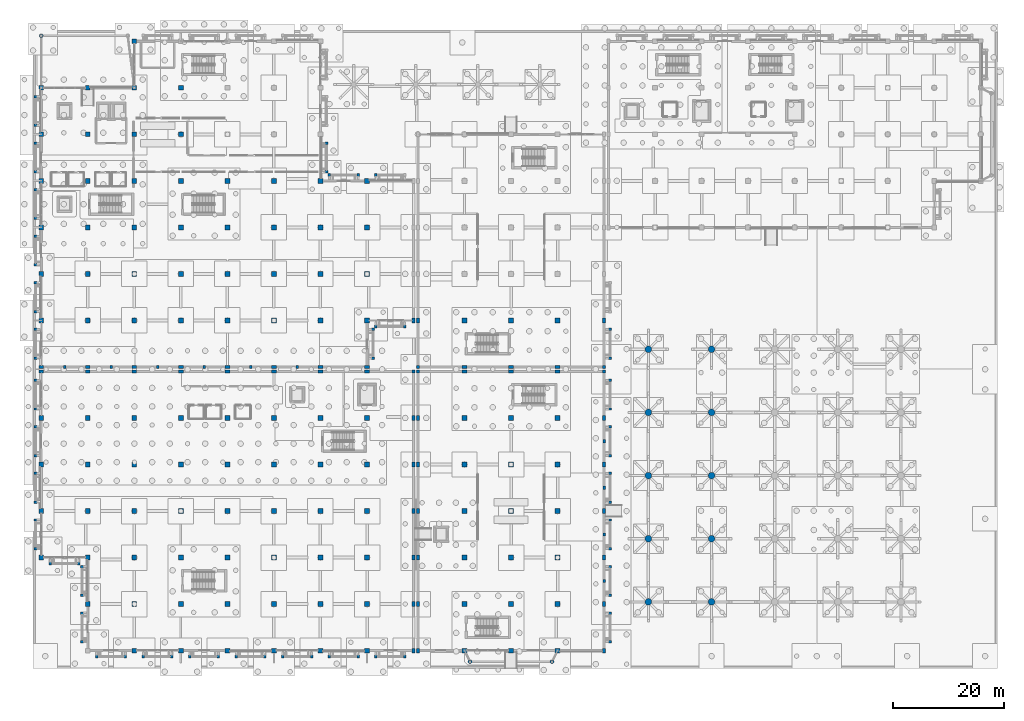
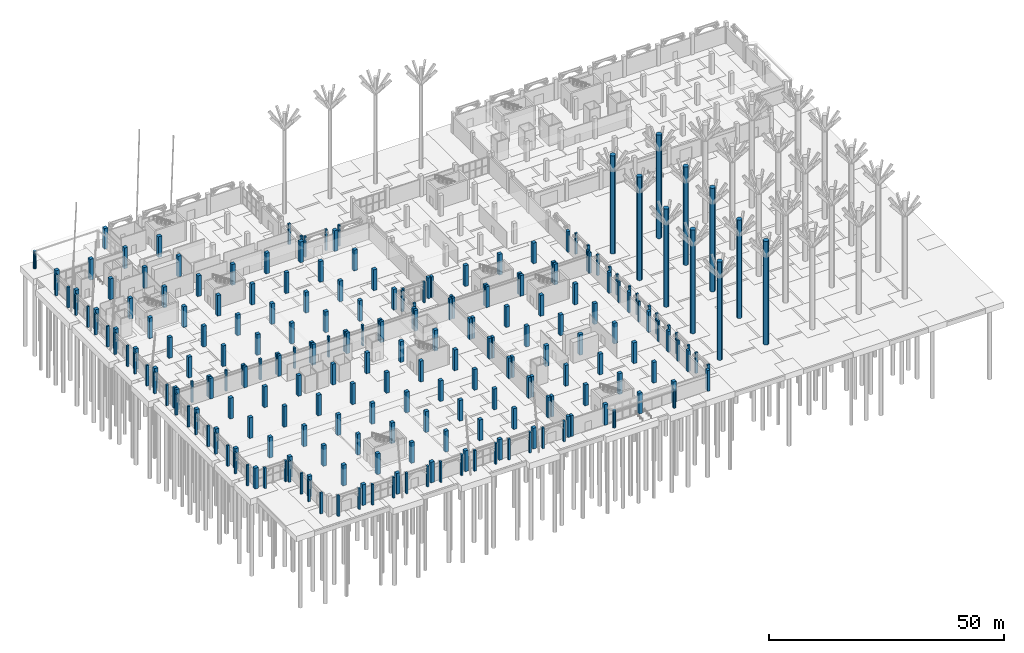
# One storey, part 9 of 98: 241 columns.
"""IFC4 building model written with IfcOpenShell, lengths in metres."""

from ifc_helpers import new_model, si_unit, direction, frame, origin, origin_2d, place, context, subcontext, project, spatial, rectangle, circle, extrude, material, material_profile, profile_set, type_object, element, save


model = new_model("IFC4")

# Units and contexts
model_context = context("Model", 3, precision=1e-05, world=origin(), true_north=direction((0.0, 1.0)))
body_context = subcontext(model_context, "Body", "Model", "MODEL_VIEW")
ifc_project = project(units=[si_unit("LENGTHUNIT", "METRE"), si_unit("AREAUNIT", "SQUARE_METRE"), si_unit("VOLUMEUNIT", "CUBIC_METRE"), si_unit("PLANEANGLEUNIT", "RADIAN"), si_unit("MASSUNIT", "GRAM", prefix="KILO")], contexts=[model_context])

# Site, building, storey
site_placement = place(None, origin())
site = spatial("IfcSite", under=ifc_project, at=site_placement, CompositionType="ELEMENT")
building_placement = place(site_placement, origin())
building = spatial("IfcBuilding", under=site, at=building_placement, Name="Xazarin Passage Department Store", CompositionType="ELEMENT")
storey_placement = place(building_placement, origin())
storey = spatial("IfcBuildingStorey", under=building, at=storey_placement, Name="L00", CompositionType="ELEMENT", Elevation=0.0)

# Columns
ifc_material = material(Name="Concrete C40/50", Category="concrete")
ifc_material_profile_1 = material_profile(ifc_material, circle(Radius=0.35009765625, at=origin_2d()), Name="RCD 700")
ifc_profile_set_1 = profile_set([ifc_material_profile_1], Name="Concrete C40/50")
column_type_1 = type_object("IfcColumnType", Name="STR-COL-CAN700", PredefinedType="COLUMN", material=ifc_profile_set_1)
column_1_placement = place(storey_placement, frame((0.0, 111.0, 0.0), z_axis=(0.0, 0.0, 1.0), x_axis=(1.0, 0.0, 0.0)))
element("IfcColumn", 1, at=column_1_placement, inside=storey, type_object=column_type_1, Name="Entrance Canopy Column CN1-3", PredefinedType="COLUMN", context=body_context, shape_type="SweptSolid", body=[
    extrude(circle(Radius=0.35009765625, at=origin_2d()), origin(), (0.0, 0.0, 1.0), 4.550048828125),
])
for number, where, z_axis, x_axis, name in (
    (2, (77.39990234375, -2.0, 0.0), (0.0, 0.0, 1.0), (1.0, 0.0, 0.0), "Entrance Canopy Column CN2-3"),
    (3, (92.199951171875, -2.0, 0.0), (0.0, 0.0, 1.0), (1.0, 0.0, 0.0), "Entrance Canopy Column CN2-4"),
):
    element("IfcColumn", number, at=place(storey_placement, frame(where, z_axis=z_axis, x_axis=x_axis)), inside=storey, type_object=column_type_1, Name=name, PredefinedType="COLUMN", context=body_context, shape_type="SweptSolid", body=[
        extrude(circle(Radius=0.35009765625, at=origin_2d()), origin(), (0.0, 0.0, 1.0), 4.530029296875),
    ])
ifc_material_profile_2 = material_profile(ifc_material, rectangle(XDim=0.85009765625, YDim=0.85009765625, at=origin_2d()), Name="RC 850x850")
ifc_profile_set_2 = profile_set([ifc_material_profile_2], Name="Concrete C40/50")
column_type_2 = type_object("IfcColumnType", Name="STR-COL-RC850", PredefinedType="COLUMN", material=ifc_profile_set_2)
for number, where, z_axis, x_axis, name in (
    (4, (0.0, 59.60009765625, 0.0), (0.0, 0.0, 1.0), (1.0, 0.0, 0.0), "L00 Column 1/J"),
    (5, (8.39990234375, 59.60009765625, 0.0), (0.0, 0.0, 1.0), (1.0, 0.0, 0.0), "L00 Column 2/J"),
    (6, (16.800048828125, 59.60009765625, 0.0), (0.0, 0.0, 1.0), (1.0, 0.0, 0.0), "L00 Column 3/J"),
    (7, (25.199951171875, 59.60009765625, 0.0), (0.0, 0.0, 1.0), (1.0, 0.0, 0.0), "L00 Column 4/J"),
    (8, (33.60009765625, 59.60009765625, 0.0), (0.0, 0.0, 1.0), (1.0, 0.0, 0.0), "L00 Column 5/J"),
    (9, (42.0, 59.60009765625, 0.0), (0.0, 0.0, 1.0), (1.0, 0.0, 0.0), "L00 Column 6/J"),
    (10, (50.39990234375, 59.60009765625, 0.0), (0.0, 0.0, 1.0), (1.0, 0.0, 0.0), "L00 Column 7/J"),
    (11, (58.800048828125, 59.60009765625, 0.0), (0.0, 0.0, 1.0), (1.0, 0.0, 0.0), "L00 Column 8/J"),
    (12, (0.0, 68.0, 0.0), (0.0, 0.0, 1.0), (1.0, 0.0, 0.0), "L00 Column 1/K"),
    (13, (8.39990234375, 68.0, 0.0), (0.0, 0.0, 1.0), (1.0, 0.0, 0.0), "L00 Column 2/K"),
    (14, (16.800048828125, 68.0, 0.0), (0.0, 0.0, 1.0), (1.0, 0.0, 0.0), "L00 Column 3/K"),
    (15, (25.199951171875, 68.0, 0.0), (0.0, 0.0, 1.0), (1.0, 0.0, 0.0), "L00 Column 4/K"),
    (16, (33.60009765625, 68.0, 0.0), (0.0, 0.0, 1.0), (1.0, 0.0, 0.0), "L00 Column 5/K"),
    (17, (42.0, 68.0, 0.0), (0.0, 0.0, 1.0), (1.0, 0.0, 0.0), "L00 Column 6/K"),
    (18, (50.39990234375, 68.0, 0.0), (0.0, 0.0, 1.0), (1.0, 0.0, 0.0), "L00 Column 7/K"),
    (19, (58.800048828125, 68.0, 0.0), (0.0, 0.0, 1.0), (1.0, 0.0, 0.0), "L00 Column 8/K"),
    (20, (0.0, 76.39990234375, 0.0), (0.0, 0.0, 1.0), (1.0, 0.0, 0.0), "L00 Column 1/L"),
    (21, (8.39990234375, 76.39990234375, 0.0), (0.0, 0.0, 1.0), (1.0, 0.0, 0.0), "L00 Column 2/L"),
    (22, (16.800048828125, 76.39990234375, 0.0), (0.0, 0.0, 1.0), (1.0, 0.0, 0.0), "L00 Column 3/L"),
    (23, (25.199951171875, 76.39990234375, 0.0), (0.0, 0.0, 1.0), (1.0, 0.0, 0.0), "L00 Column 4/L"),
    (24, (33.60009765625, 76.39990234375, 0.0), (0.0, 0.0, 1.0), (1.0, 0.0, 0.0), "L00 Column 5/L"),
    (25, (42.0, 76.39990234375, 0.0), (0.0, 0.0, 1.0), (1.0, 0.0, 0.0), "L00 Column 6/L"),
    (26, (50.39990234375, 76.39990234375, 0.0), (0.0, 0.0, 1.0), (1.0, 0.0, 0.0), "L00 Column 7/L"),
    (27, (58.800048828125, 76.39990234375, 0.0), (0.0, 0.0, 1.0), (1.0, 0.0, 0.0), "L00 Column 8/L"),
    (28, (0.0, 84.800048828125, 0.0), (0.0, 0.0, 1.0), (1.0, 0.0, 0.0), "L00 Column 1/M"),
    (29, (8.39990234375, 84.800048828125, 0.0), (0.0, 0.0, 1.0), (1.0, 0.0, 0.0), "L00 Column 2/M"),
    (30, (16.800048828125, 84.800048828125, 0.0), (0.0, 0.0, 1.0), (1.0, 0.0, 0.0), "L00 Column 3/M"),
    (31, (25.199951171875, 84.800048828125, 0.0), (0.0, 0.0, 1.0), (1.0, 0.0, 0.0), "L00 Column 4/M"),
    (32, (33.60009765625, 84.800048828125, 0.0), (0.0, 0.0, 1.0), (1.0, 0.0, 0.0), "L00 Column 5/M"),
    (33, (42.0, 84.800048828125, 0.0), (0.0, 0.0, 1.0), (1.0, 0.0, 0.0), "L00 Column 6/M"),
    (34, (50.39990234375, 84.800048828125, 0.0), (0.0, 0.0, 1.0), (1.0, 0.0, 0.0), "L00 Column 7/M"),
    (35, (58.800048828125, 84.800048828125, 0.0), (0.0, 0.0, 1.0), (1.0, 0.0, 0.0), "L00 Column 8/M"),
    (36, (0.0, 93.199951171875, 0.0), (0.0, 0.0, 1.0), (1.0, 0.0, 0.0), "L00 Column 1/N"),
    (37, (8.39990234375, 93.199951171875, 0.0), (0.0, 0.0, 1.0), (1.0, 0.0, 0.0), "L00 Column 2/N"),
    (38, (16.800048828125, 93.199951171875, 0.0), (0.0, 0.0, 1.0), (1.0, 0.0, 0.0), "L00 Column 3/N"),
    (39, (25.199951171875, 93.199951171875, 0.0), (0.0, 0.0, 1.0), (1.0, 0.0, 0.0), "L00 Column 4/N"),
    (40, (0.0, 101.60009765625, 0.0), (0.0, 0.0, 1.0), (1.0, 0.0, 0.0), "L00 Column 1/P"),
    (41, (8.39990234375, 101.60009765625, 0.0), (0.0, 0.0, 1.0), (1.0, 0.0, 0.0), "L00 Column 2/P"),
    (42, (16.800048828125, 101.60009765625, 0.0), (0.0, 0.0, 1.0), (1.0, 0.0, 0.0), "L00 Column 3/P"),
    (43, (25.199951171875, 101.60009765625, 0.0), (0.0, 0.0, 1.0), (1.0, 0.0, 0.0), "L00 Column 4/P"),
    (44, (16.800048828125, 110.0, 0.0), (0.0, 0.0, 1.0), (1.0, 0.0, 0.0), "L00 Column 3/Q"),
    (45, (76.39990234375, 0.0, 0.0), (0.0, 0.0, 1.0), (1.0, 0.0, 0.0), "L00 Column 11/A"),
    (46, (84.800048828125, 0.0, 0.0), (0.0, 0.0, 1.0), (1.0, 0.0, 0.0), "L00 Column 12/A"),
    (47, (93.199951171875, 0.0, 0.0), (0.0, 0.0, 1.0), (1.0, 0.0, 0.0), "L00 Column 13/A"),
    (48, (76.39990234375, 8.39990234375, 0.0), (0.0, 0.0, 1.0), (1.0, 0.0, 0.0), "L00 Column 11/B"),
    (49, (84.800048828125, 8.39990234375, 0.0), (0.0, 0.0, 1.0), (1.0, 0.0, 0.0), "L00 Column 12/B"),
    (50, (93.199951171875, 8.39990234375, 0.0), (0.0, 0.0, 1.0), (1.0, 0.0, 0.0), "L00 Column 13/B"),
    (51, (76.39990234375, 16.800048828125, 0.0), (0.0, 0.0, 1.0), (1.0, 0.0, 0.0), "L00 Column 11/C"),
    (52, (84.800048828125, 16.800048828125, 0.0), (0.0, 0.0, 1.0), (1.0, 0.0, 0.0), "L00 Column 12/C"),
    (53, (93.199951171875, 16.800048828125, 0.0), (0.0, 0.0, 1.0), (1.0, 0.0, 0.0), "L00 Column 13/C"),
    (54, (76.39990234375, 25.199951171875, 0.0), (0.0, 0.0, 1.0), (1.0, 0.0, 0.0), "L00 Column 11/D"),
    (55, (84.800048828125, 25.199951171875, 0.0), (0.0, 0.0, 1.0), (1.0, 0.0, 0.0), "L00 Column 12/D"),
    (56, (93.199951171875, 25.199951171875, 0.0), (0.0, 0.0, 1.0), (1.0, 0.0, 0.0), "L00 Column 13/D"),
    (57, (76.39990234375, 33.60009765625, 0.0), (0.0, 0.0, 1.0), (1.0, 0.0, 0.0), "L00 Column 11/E"),
    (58, (84.800048828125, 33.60009765625, 0.0), (0.0, 0.0, 1.0), (1.0, 0.0, 0.0), "L00 Column 12/E"),
    (59, (93.199951171875, 33.60009765625, 0.0), (0.0, 0.0, 1.0), (1.0, 0.0, 0.0), "L00 Column 13/E"),
    (60, (76.39990234375, 42.0, 0.0), (0.0, 0.0, 1.0), (1.0, 0.0, 0.0), "L00 Column 11/F"),
    (61, (84.800048828125, 42.0, 0.0), (0.0, 0.0, 1.0), (1.0, 0.0, 0.0), "L00 Column 12/F"),
    (62, (93.199951171875, 42.0, 0.0), (0.0, 0.0, 1.0), (1.0, 0.0, 0.0), "L00 Column 13/F"),
    (63, (76.39990234375, 59.60009765625, 0.0), (0.0, 0.0, 1.0), (1.0, 0.0, 0.0), "L00 Column 11/J"),
    (64, (84.800048828125, 59.60009765625, 0.0), (0.0, 0.0, 1.0), (1.0, 0.0, 0.0), "L00 Column 12/J"),
    (65, (93.199951171875, 59.60009765625, 0.0), (0.0, 0.0, 1.0), (1.0, 0.0, 0.0), "L00 Column 13/J"),
    (66, (16.800048828125, 0.0, 0.0), (0.0, 0.0, 1.0), (1.0, 0.0, 0.0), "L00 Column 3/A"),
    (67, (25.199951171875, 0.0, 0.0), (0.0, 0.0, 1.0), (1.0, 0.0, 0.0), "L00 Column 4/A"),
    (68, (33.60009765625, 0.0, 0.0), (0.0, 0.0, 1.0), (1.0, 0.0, 0.0), "L00 Column 5/A"),
    (69, (42.0, 0.0, 0.0), (0.0, 0.0, 1.0), (1.0, 0.0, 0.0), "L00 Column 6/A"),
    (70, (50.39990234375, 0.0, 0.0), (0.0, 0.0, 1.0), (1.0, 0.0, 0.0), "L00 Column 7/A"),
    (71, (58.800048828125, 0.0, 0.0), (0.0, 0.0, 1.0), (1.0, 0.0, 0.0), "L00 Column 8/A"),
    (72, (8.39990234375, 8.39990234375, 0.0), (0.0, 0.0, 1.0), (1.0, 0.0, 0.0), "L00 Column 2/B"),
    (73, (16.800048828125, 8.39990234375, 0.0), (0.0, 0.0, 1.0), (1.0, 0.0, 0.0), "L00 Column 3/B"),
    (74, (25.199951171875, 8.39990234375, 0.0), (0.0, 0.0, 1.0), (1.0, 0.0, 0.0), "L00 Column 4/B"),
    (75, (33.60009765625, 8.39990234375, 0.0), (0.0, 0.0, 1.0), (1.0, 0.0, 0.0), "L00 Column 5/B"),
    (76, (42.0, 8.39990234375, 0.0), (0.0, 0.0, 1.0), (1.0, 0.0, 0.0), "L00 Column 6/B"),
    (77, (50.39990234375, 8.39990234375, 0.0), (0.0, 0.0, 1.0), (1.0, 0.0, 0.0), "L00 Column 7/B"),
    (78, (58.800048828125, 8.39990234375, 0.0), (0.0, 0.0, 1.0), (1.0, 0.0, 0.0), "L00 Column 8/B"),
    (79, (0.0, 16.800048828125, 0.0), (0.0, 0.0, 1.0), (1.0, 0.0, 0.0), "L00 Column 1/C"),
    (80, (8.39990234375, 16.800048828125, 0.0), (0.0, 0.0, 1.0), (1.0, 0.0, 0.0), "L00 Column 2/C"),
    (81, (16.800048828125, 16.800048828125, 0.0), (0.0, 0.0, 1.0), (1.0, 0.0, 0.0), "L00 Column 3/C"),
    (82, (25.199951171875, 16.800048828125, 0.0), (0.0, 0.0, 1.0), (1.0, 0.0, 0.0), "L00 Column 4/C"),
    (83, (33.60009765625, 16.800048828125, 0.0), (0.0, 0.0, 1.0), (1.0, 0.0, 0.0), "L00 Column 5/C"),
    (84, (42.0, 16.800048828125, 0.0), (0.0, 0.0, 1.0), (1.0, 0.0, 0.0), "L00 Column 6/C"),
    (85, (50.39990234375, 16.800048828125, 0.0), (0.0, 0.0, 1.0), (1.0, 0.0, 0.0), "L00 Column 7/C"),
    (86, (58.800048828125, 16.800048828125, 0.0), (0.0, 0.0, 1.0), (1.0, 0.0, 0.0), "L00 Column 8/C"),
    (87, (0.0, 25.199951171875, 0.0), (0.0, 0.0, 1.0), (1.0, 0.0, 0.0), "L00 Column 1/D"),
    (88, (8.39990234375, 25.199951171875, 0.0), (0.0, 0.0, 1.0), (1.0, 0.0, 0.0), "L00 Column 2/D"),
    (89, (16.800048828125, 25.199951171875, 0.0), (0.0, 0.0, 1.0), (1.0, 0.0, 0.0), "L00 Column 3/D"),
    (90, (25.199951171875, 25.199951171875, 0.0), (0.0, 0.0, 1.0), (1.0, 0.0, 0.0), "L00 Column 4/D"),
    (91, (33.60009765625, 25.199951171875, 0.0), (0.0, 0.0, 1.0), (1.0, 0.0, 0.0), "L00 Column 5/D"),
    (92, (42.0, 25.199951171875, 0.0), (0.0, 0.0, 1.0), (1.0, 0.0, 0.0), "L00 Column 6/D"),
    (93, (50.39990234375, 25.199951171875, 0.0), (0.0, 0.0, 1.0), (1.0, 0.0, 0.0), "L00 Column 7/D"),
    (94, (58.800048828125, 25.199951171875, 0.0), (0.0, 0.0, 1.0), (1.0, 0.0, 0.0), "L00 Column 8/D"),
    (95, (0.0, 33.60009765625, 0.0), (0.0, 0.0, 1.0), (1.0, 0.0, 0.0), "L00 Column 1/E"),
    (96, (8.39990234375, 33.60009765625, 0.0), (0.0, 0.0, 1.0), (1.0, 0.0, 0.0), "L00 Column 2/E"),
    (97, (16.800048828125, 33.60009765625, 0.0), (0.0, 0.0, 1.0), (1.0, 0.0, 0.0), "L00 Column 3/E"),
    (98, (25.199951171875, 33.60009765625, 0.0), (0.0, 0.0, 1.0), (1.0, 0.0, 0.0), "L00 Column 4/E"),
    (99, (33.60009765625, 33.60009765625, 0.0), (0.0, 0.0, 1.0), (1.0, 0.0, 0.0), "L00 Column 5/E"),
    (100, (42.0, 33.60009765625, 0.0), (0.0, 0.0, 1.0), (1.0, 0.0, 0.0), "L00 Column 6/E"),
    (101, (50.39990234375, 33.60009765625, 0.0), (0.0, 0.0, 1.0), (1.0, 0.0, 0.0), "L00 Column 7/E"),
    (102, (58.800048828125, 33.60009765625, 0.0), (0.0, 0.0, 1.0), (1.0, 0.0, 0.0), "L00 Column 8/E"),
    (103, (0.0, 42.0, 0.0), (0.0, 0.0, 1.0), (1.0, 0.0, 0.0), "L00 Column 1/F"),
    (104, (8.39990234375, 42.0, 0.0), (0.0, 0.0, 1.0), (1.0, 0.0, 0.0), "L00 Column 2/F"),
    (105, (16.800048828125, 42.0, 0.0), (0.0, 0.0, 1.0), (1.0, 0.0, 0.0), "L00 Column 3/F"),
    (106, (25.199951171875, 42.0, 0.0), (0.0, 0.0, 1.0), (1.0, 0.0, 0.0), "L00 Column 4/F"),
    (107, (33.60009765625, 42.0, 0.0), (0.0, 0.0, 1.0), (1.0, 0.0, 0.0), "L00 Column 5/F"),
    (108, (42.0, 42.0, 0.0), (0.0, 0.0, 1.0), (1.0, 0.0, 0.0), "L00 Column 6/F"),
    (109, (50.39990234375, 42.0, 0.0), (0.0, 0.0, 1.0), (1.0, 0.0, 0.0), "L00 Column 7/F"),
    (110, (58.800048828125, 42.0, 0.0), (0.0, 0.0, 1.0), (1.0, 0.0, 0.0), "L00 Column 8/F"),
):
    element("IfcColumn", number, at=place(storey_placement, frame(where, z_axis=z_axis, x_axis=x_axis)), inside=storey, type_object=column_type_2, Name=name, PredefinedType="COLUMN", context=body_context, shape_type="SweptSolid", body=[
        extrude(rectangle(XDim=0.85009765625, YDim=0.85009765625, at=origin_2d()), origin(), (0.0, 0.0, 1.0), 5.39990234375),
    ])
ifc_material_profile_3 = material_profile(ifc_material, rectangle(XDim=0.60009765625, YDim=0.60009765625, at=origin_2d()), Name="RC 600x600")
ifc_profile_set_3 = profile_set([ifc_material_profile_3], Name="Concrete C40/50")
column_type_3 = type_object("IfcColumnType", Name="STR-COL-SJ600", PredefinedType="COLUMN", material=ifc_profile_set_3)
for number, where, z_axis, x_axis, name in (
    (111, (68.0, 50.39990234375, 0.0), (0.0, 0.0, 1.0), (1.0, 0.0, 0.0), "L00 Column 10/G"),
    (112, (101.60009765625, 50.39990234375, 0.0), (0.0, 0.0, 1.0), (1.0, 0.0, 0.0), "L00 Column 14/G"),
    (113, (68.0, 51.199951171875, 0.0), (0.0, 0.0, 1.0), (1.0, 0.0, 0.0), "L00 Column 10/H"),
    (114, (101.60009765625, 51.199951171875, 0.0), (0.0, 0.0, 1.0), (1.0, 0.0, 0.0), "L00 Column 14/H"),
    (115, (67.199951171875, 50.39990234375, 0.0), (0.0, 0.0, 1.0), (1.0, 0.0, 0.0), "L00 Column 9/G"),
):
    element("IfcColumn", number, at=place(storey_placement, frame(where, z_axis=z_axis, x_axis=x_axis)), inside=storey, type_object=column_type_3, Name=name, PredefinedType="COLUMN", context=body_context, shape_type="SweptSolid", body=[
        extrude(rectangle(XDim=0.60009765625, YDim=0.60009765625, at=origin_2d()), origin(), (0.0, 0.0, 1.0), 5.39990234375),
    ])
ifc_material_profile_4 = material_profile(ifc_material, rectangle(XDim=0.60009765625, YDim=0.85009765625, at=origin_2d()), Name="RC 600x850")
ifc_profile_set_4 = profile_set([ifc_material_profile_4], Name="Concrete C40/50")
column_type_4 = type_object("IfcColumnType", Name="STR-COL-SJ850", PredefinedType="COLUMN", material=ifc_profile_set_4)
for number, where, z_axis, x_axis, name in (
    (116, (0.0, 51.199951171875, 0.0), (0.0, 0.0, 1.0), (0.0, 1.0, 0.0), "L00 Column 1/H"),
    (117, (8.39990234375, 51.199951171875, 0.0), (0.0, 0.0, 1.0), (0.0, 1.0, 0.0), "L00 Column 2/H"),
    (118, (16.800048828125, 51.199951171875, 0.0), (0.0, 0.0, 1.0), (0.0, 1.0, 0.0), "L00 Column 3/H"),
    (119, (25.199951171875, 51.199951171875, 0.0), (0.0, 0.0, 1.0), (0.0, 1.0, 0.0), "L00 Column 4/H"),
    (120, (33.60009765625, 51.199951171875, 0.0), (0.0, 0.0, 1.0), (0.0, 1.0, 0.0), "L00 Column 5/H"),
    (121, (42.0, 51.199951171875, 0.0), (0.0, 0.0, 1.0), (0.0, 1.0, 0.0), "L00 Column 6/H"),
    (122, (50.39990234375, 51.199951171875, 0.0), (0.0, 0.0, 1.0), (0.0, 1.0, 0.0), "L00 Column 7/H"),
    (123, (58.800048828125, 51.199951171875, 0.0), (0.0, 0.0, 1.0), (0.0, 1.0, 0.0), "L00 Column 8/H"),
    (124, (67.199951171875, 59.60009765625, 0.0), (0.0, 0.0, 1.0), (1.0, 0.0, 0.0), "L00 Column 9/J"),
    (125, (68.0, 0.0, 0.0), (0.0, 0.0, 1.0), (1.0, 0.0, 0.0), "L00 Column 10/A"),
    (126, (101.60009765625, 0.0, 0.0), (0.0, 0.0, 1.0), (1.0, 0.0, 0.0), "L00 Column 14/A"),
    (127, (68.0, 8.39990234375, 0.0), (0.0, 0.0, 1.0), (1.0, 0.0, 0.0), "L00 Column 10/B"),
    (128, (101.60009765625, 8.39990234375, 0.0), (0.0, 0.0, 1.0), (1.0, 0.0, 0.0), "L00 Column 14/B"),
    (129, (68.0, 16.800048828125, 0.0), (0.0, 0.0, 1.0), (1.0, 0.0, 0.0), "L00 Column 10/C"),
    (130, (101.60009765625, 16.800048828125, 0.0), (0.0, 0.0, 1.0), (1.0, 0.0, 0.0), "L00 Column 14/C"),
    (131, (68.0, 25.199951171875, 0.0), (0.0, 0.0, 1.0), (1.0, 0.0, 0.0), "L00 Column 10/D"),
    (132, (101.60009765625, 25.199951171875, 0.0), (0.0, 0.0, 1.0), (1.0, 0.0, 0.0), "L00 Column 14/D"),
    (133, (68.0, 33.60009765625, 0.0), (0.0, 0.0, 1.0), (1.0, 0.0, 0.0), "L00 Column 10/E"),
    (134, (101.60009765625, 33.60009765625, 0.0), (0.0, 0.0, 1.0), (1.0, 0.0, 0.0), "L00 Column 14/E"),
    (135, (68.0, 42.0, 0.0), (0.0, 0.0, 1.0), (1.0, 0.0, 0.0), "L00 Column 10/F"),
    (136, (101.60009765625, 42.0, 0.0), (0.0, 0.0, 1.0), (1.0, 0.0, 0.0), "L00 Column 14/F"),
    (137, (76.39990234375, 50.39990234375, 0.0), (0.0, 0.0, 1.0), (0.0, 1.0, 0.0), "L00 Column 11/G"),
    (138, (84.800048828125, 50.39990234375, 0.0), (0.0, 0.0, 1.0), (0.0, 1.0, 0.0), "L00 Column 12/G"),
    (139, (93.199951171875, 50.39990234375, 0.0), (0.0, 0.0, 1.0), (0.0, 1.0, 0.0), "L00 Column 13/G"),
    (140, (76.39990234375, 51.199951171875, 0.0), (0.0, 0.0, 1.0), (0.0, 1.0, 0.0), "L00 Column 11/H"),
    (141, (84.800048828125, 51.199951171875, 0.0), (0.0, 0.0, 1.0), (0.0, 1.0, 0.0), "L00 Column 12/H"),
    (142, (93.199951171875, 51.199951171875, 0.0), (0.0, 0.0, 1.0), (0.0, 1.0, 0.0), "L00 Column 13/H"),
    (143, (68.0, 59.60009765625, 0.0), (0.0, 0.0, 1.0), (1.0, 0.0, 0.0), "L00 Column 10/J"),
    (144, (101.60009765625, 59.60009765625, 0.0), (0.0, 0.0, 1.0), (1.0, 0.0, 0.0), "L00 Column 14/J"),
    (145, (67.199951171875, 0.0, 0.0), (0.0, 0.0, 1.0), (1.0, 0.0, 0.0), "L00 Column 9/A"),
    (146, (67.199951171875, 8.39990234375, 0.0), (0.0, 0.0, 1.0), (1.0, 0.0, 0.0), "L00 Column 9/B"),
    (147, (67.199951171875, 16.800048828125, 0.0), (0.0, 0.0, 1.0), (1.0, 0.0, 0.0), "L00 Column 9/C"),
    (148, (67.199951171875, 25.199951171875, 0.0), (0.0, 0.0, 1.0), (1.0, 0.0, 0.0), "L00 Column 9/D"),
    (149, (67.199951171875, 33.60009765625, 0.0), (0.0, 0.0, 1.0), (1.0, 0.0, 0.0), "L00 Column 9/E"),
    (150, (67.199951171875, 42.0, 0.0), (0.0, 0.0, 1.0), (1.0, 0.0, 0.0), "L00 Column 9/F"),
    (151, (0.0, 50.39990234375, 0.0), (0.0, 0.0, 1.0), (0.0, 1.0, 0.0), "L00 Column 1/G"),
    (152, (8.39990234375, 50.39990234375, 0.0), (0.0, 0.0, 1.0), (0.0, 1.0, 0.0), "L00 Column 2/G"),
    (153, (16.800048828125, 50.39990234375, 0.0), (0.0, 0.0, 1.0), (0.0, 1.0, 0.0), "L00 Column 3/G"),
    (154, (25.199951171875, 50.39990234375, 0.0), (0.0, 0.0, 1.0), (0.0, 1.0, 0.0), "L00 Column 4/G"),
    (155, (33.60009765625, 50.39990234375, 0.0), (0.0, 0.0, 1.0), (0.0, 1.0, 0.0), "L00 Column 5/G"),
    (156, (42.0, 50.39990234375, 0.0), (0.0, 0.0, 1.0), (0.0, 1.0, 0.0), "L00 Column 6/G"),
    (157, (50.39990234375, 50.39990234375, 0.0), (0.0, 0.0, 1.0), (0.0, 1.0, 0.0), "L00 Column 7/G"),
    (158, (58.800048828125, 50.39990234375, 0.0), (0.0, 0.0, 1.0), (0.0, 1.0, 0.0), "L00 Column 8/G"),
):
    element("IfcColumn", number, at=place(storey_placement, frame(where, z_axis=z_axis, x_axis=x_axis)), inside=storey, type_object=column_type_4, Name=name, PredefinedType="COLUMN", context=body_context, shape_type="SweptSolid", body=[
        extrude(rectangle(XDim=0.60009765625, YDim=0.85009765625, at=origin_2d()), origin(), (0.0, 0.0, 1.0), 5.39990234375),
    ])
ifc_material_profile_5 = material_profile(ifc_material, circle(Radius=0.60009765625, at=origin_2d()), Name="RCD 1200")
ifc_profile_set_5 = profile_set([ifc_material_profile_5], Name="Concrete C40/50")
column_type_5 = type_object("IfcColumnType", Name="STR-COL-UMB1200", PredefinedType="COLUMN", material=ifc_profile_set_5)
column_2_placement = place(storey_placement, frame((109.60009765625, 8.800048828125, 0.0), z_axis=(0.0, 0.0, 1.0), x_axis=(1.0, 0.0, 0.0)))
element("IfcColumn", 159, at=column_2_placement, inside=storey, type_object=column_type_5, Name="Trading Court Umbrella Column UM5", PredefinedType="COLUMN", context=body_context, shape_type="SweptSolid", body=[
    extrude(circle(Radius=0.60009765625, at=origin_2d()), origin(), (0.0, 0.0, 1.0), 25.580078125),
])
for number, where, z_axis, x_axis, name in (
    (160, (121.0, 8.800048828125, 0.0), (0.0, 0.0, 1.0), (1.0, 0.0, 0.0), "Trading Court Umbrella Column UM6"),
    (161, (109.60009765625, 20.199951171875, 0.0), (0.0, 0.0, 1.0), (1.0, 0.0, 0.0), "Trading Court Umbrella Column UM10"),
):
    element("IfcColumn", number, at=place(storey_placement, frame(where, z_axis=z_axis, x_axis=x_axis)), inside=storey, type_object=column_type_5, Name=name, PredefinedType="COLUMN", context=body_context, shape_type="SweptSolid", body=[
        extrude(circle(Radius=0.60009765625, at=origin_2d()), origin(), (0.0, 0.0, 1.0), 26.97998046875),
    ])
for number, where, z_axis, x_axis, name in (
    (162, (121.0, 20.199951171875, 0.0), (0.0, 0.0, 1.0), (1.0, 0.0, 0.0), "Trading Court Umbrella Column UM11"),
    (163, (109.60009765625, 31.60009765625, 0.0), (0.0, 0.0, 1.0), (1.0, 0.0, 0.0), "Trading Court Umbrella Column UM15"),
):
    element("IfcColumn", number, at=place(storey_placement, frame(where, z_axis=z_axis, x_axis=x_axis)), inside=storey, type_object=column_type_5, Name=name, PredefinedType="COLUMN", context=body_context, shape_type="SweptSolid", body=[
        extrude(circle(Radius=0.60009765625, at=origin_2d()), origin(), (0.0, 0.0, 1.0), 25.580078125),
    ])
for number, where, z_axis, x_axis, name in (
    (164, (121.0, 31.60009765625, 0.0), (0.0, 0.0, 1.0), (1.0, 0.0, 0.0), "Trading Court Umbrella Column UM16"),
    (165, (109.60009765625, 43.0, 0.0), (0.0, 0.0, 1.0), (1.0, 0.0, 0.0), "Trading Court Umbrella Column UM20"),
):
    element("IfcColumn", number, at=place(storey_placement, frame(where, z_axis=z_axis, x_axis=x_axis)), inside=storey, type_object=column_type_5, Name=name, PredefinedType="COLUMN", context=body_context, shape_type="SweptSolid", body=[
        extrude(circle(Radius=0.60009765625, at=origin_2d()), origin(), (0.0, 0.0, 1.0), 26.97998046875),
    ])
for number, where, z_axis, x_axis, name in (
    (166, (121.0, 43.0, 0.0), (0.0, 0.0, 1.0), (1.0, 0.0, 0.0), "Trading Court Umbrella Column UM21"),
    (167, (109.60009765625, 54.39990234375, 0.0), (0.0, 0.0, 1.0), (1.0, 0.0, 0.0), "Trading Court Umbrella Column UM25"),
):
    element("IfcColumn", number, at=place(storey_placement, frame(where, z_axis=z_axis, x_axis=x_axis)), inside=storey, type_object=column_type_5, Name=name, PredefinedType="COLUMN", context=body_context, shape_type="SweptSolid", body=[
        extrude(circle(Radius=0.60009765625, at=origin_2d()), origin(), (0.0, 0.0, 1.0), 25.580078125),
    ])
column_3_placement = place(storey_placement, frame((121.0, 54.39990234375, 0.0), z_axis=(0.0, 0.0, 1.0), x_axis=(1.0, 0.0, 0.0)))
element("IfcColumn", 168, at=column_3_placement, inside=storey, type_object=column_type_5, Name="Trading Court Umbrella Column UM26", PredefinedType="COLUMN", context=body_context, shape_type="SweptSolid", body=[
    extrude(circle(Radius=0.60009765625, at=origin_2d()), origin(), (0.0, 0.0, 1.0), 26.97998046875),
])
ifc_material_profile_6 = material_profile(ifc_material, rectangle(XDim=0.449951171875, YDim=0.550048828125, at=origin_2d()), Name="RC 450x550")
ifc_profile_set_6 = profile_set([ifc_material_profile_6], Name="Concrete C40/50")
column_type_6 = type_object("IfcColumnType", Name="STR-PIL-RC450", PredefinedType="PILASTER", material=ifc_profile_set_6)
for number, where, z_axis, x_axis, name in (
    (169, (4.199951171875, 51.199951171875, 0.0), (0.0, 0.0, 1.0), (1.0, 0.0, 0.0), "L00 Colonnade Pilaster 01"),
    (170, (12.60009765625, 51.199951171875, 0.0), (0.0, 0.0, 1.0), (1.0, 0.0, 0.0), "L00 Colonnade Pilaster 02"),
    (171, (21.0, 51.199951171875, 0.0), (0.0, 0.0, 1.0), (1.0, 0.0, 0.0), "L00 Colonnade Pilaster 03"),
    (172, (29.39990234375, 51.199951171875, 0.0), (0.0, 0.0, 1.0), (1.0, 0.0, 0.0), "L00 Colonnade Pilaster 04"),
    (173, (37.800048828125, 51.199951171875, 0.0), (0.0, 0.0, 1.0), (1.0, 0.0, 0.0), "L00 Colonnade Pilaster 05"),
    (174, (46.199951171875, 51.199951171875, 0.0), (0.0, 0.0, 1.0), (1.0, 0.0, 0.0), "L00 Colonnade Pilaster 06"),
    (175, (101.60009765625, 12.60009765625, 0.0), (0.0, 0.0, 1.0), (1.0, 0.0, 0.0), "L00 Colonnade Pilaster 07"),
    (176, (101.60009765625, 21.0, 0.0), (0.0, 0.0, 1.0), (1.0, 0.0, 0.0), "L00 Colonnade Pilaster 08"),
    (177, (101.60009765625, 29.39990234375, 0.0), (0.0, 0.0, 1.0), (1.0, 0.0, 0.0), "L00 Colonnade Pilaster 09"),
    (178, (101.60009765625, 37.800048828125, 0.0), (0.0, 0.0, 1.0), (1.0, 0.0, 0.0), "L00 Colonnade Pilaster 10"),
    (179, (52.02001953125, 85.85009765625, 0.0), (0.0, 0.0, 1.0), (1.0, 0.0, 0.0), "L00 V1 Pierced-Arch Colonnade Pier 005L"),
    (180, (57.179931640625, 85.85009765625, 0.0), (0.0, 0.0, 1.0), (1.0, 0.0, 0.0), "L00 V1 Pierced-Arch Colonnade Pier 005R"),
    (181, (60.419921875, 58.550048828125, 0.0), (0.0, 0.0, 1.0), (1.0, 0.0, 0.0), "L00 V1 Pierced-Arch Colonnade Pier 006L"),
    (182, (65.580078125, 58.550048828125, 0.0), (0.0, 0.0, 1.0), (1.0, 0.0, 0.0), "L00 V1 Pierced-Arch Colonnade Pier 006R"),
    (183, (60.419921875, 85.85009765625, 0.0), (0.0, 0.0, 1.0), (1.0, 0.0, 0.0), "L00 V1 Pierced-Arch Colonnade Pier 007L"),
    (184, (-1.050048828125, 52.820068359375, 0.0), (0.0, 0.0, 1.0), (0.0, 1.0, 0.0), "L00 V1 Pierced-Arch Colonnade Pier 008L"),
    (185, (-1.050048828125, 57.97998046875, 0.0), (0.0, 0.0, 1.0), (0.0, 1.0, 0.0), "L00 V1 Pierced-Arch Colonnade Pier 008R"),
    (186, (-1.050048828125, 61.219970703125, 0.0), (0.0, 0.0, 1.0), (0.0, 1.0, 0.0), "L00 V1 Pierced-Arch Colonnade Pier 009L"),
    (187, (-1.050048828125, 66.3798828125, 0.0), (0.0, 0.0, 1.0), (0.0, 1.0, 0.0), "L00 V1 Pierced-Arch Colonnade Pier 009R"),
    (188, (-1.050048828125, 69.6201171875, 0.0), (0.0, 0.0, 1.0), (0.0, 1.0, 0.0), "L00 V1 Pierced-Arch Colonnade Pier 010L"),
    (189, (-1.050048828125, 74.780029296875, 0.0), (0.0, 0.0, 1.0), (0.0, 1.0, 0.0), "L00 V1 Pierced-Arch Colonnade Pier 010R"),
    (190, (-1.050048828125, 78.02001953125, 0.0), (0.0, 0.0, 1.0), (0.0, 1.0, 0.0), "L00 V1 Pierced-Arch Colonnade Pier 011L"),
    (191, (-1.050048828125, 83.179931640625, 0.0), (0.0, 0.0, 1.0), (0.0, 1.0, 0.0), "L00 V1 Pierced-Arch Colonnade Pier 011R"),
    (192, (-1.050048828125, 86.419921875, 0.0), (0.0, 0.0, 1.0), (0.0, 1.0, 0.0), "L00 V1 Pierced-Arch Colonnade Pier 012L"),
    (193, (-1.050048828125, 91.580078125, 0.0), (0.0, 0.0, 1.0), (0.0, 1.0, 0.0), "L00 V1 Pierced-Arch Colonnade Pier 012R"),
    (194, (-1.050048828125, 94.820068359375, 0.0), (0.0, 0.0, 1.0), (0.0, 1.0, 0.0), "L00 V1 Pierced-Arch Colonnade Pier 013L"),
    (195, (-1.050048828125, 99.97998046875, 0.0), (0.0, 0.0, 1.0), (0.0, 1.0, 0.0), "L00 V1 Pierced-Arch Colonnade Pier 013R"),
    (196, (51.449951171875, 86.419921875, 0.0), (0.0, 0.0, 1.0), (0.0, 1.0, 0.0), "L00 V1 Pierced-Arch Colonnade Pier 014L"),
    (197, (51.449951171875, 91.580078125, 0.0), (0.0, 0.0, 1.0), (0.0, 1.0, 0.0), "L00 V1 Pierced-Arch Colonnade Pier 014R"),
    (198, (59.85009765625, 52.820068359375, 0.0), (0.0, 0.0, 1.0), (0.0, 1.0, 0.0), "L00 V1 Pierced-Arch Colonnade Pier 017L"),
    (199, (59.85009765625, 57.97998046875, 0.0), (0.0, 0.0, 1.0), (0.0, 1.0, 0.0), "L00 V1 Pierced-Arch Colonnade Pier 017R"),
    (200, (102.64990234375, 1.6201171875, 0.0), (0.0, 0.0, 1.0), (0.0, 1.0, 0.0), "L00 V2S Pierced-Arch Colonnade Pier 018L"),
    (201, (102.64990234375, 6.780029296875, 0.0), (0.0, 0.0, 1.0), (0.0, 1.0, 0.0), "L00 V2S Pierced-Arch Colonnade Pier 018R"),
    (202, (102.64990234375, 10.02001953125, 0.0), (0.0, 0.0, 1.0), (0.0, 1.0, 0.0), "L00 V2S Pierced-Arch Colonnade Pier 019L"),
    (203, (102.64990234375, 15.179931640625, 0.0), (0.0, 0.0, 1.0), (0.0, 1.0, 0.0), "L00 V2S Pierced-Arch Colonnade Pier 019R"),
    (204, (102.64990234375, 18.419921875, 0.0), (0.0, 0.0, 1.0), (0.0, 1.0, 0.0), "L00 V2S Pierced-Arch Colonnade Pier 020L"),
    (205, (102.64990234375, 23.580078125, 0.0), (0.0, 0.0, 1.0), (0.0, 1.0, 0.0), "L00 V2S Pierced-Arch Colonnade Pier 020R"),
    (206, (102.64990234375, 26.820068359375, 0.0), (0.0, 0.0, 1.0), (0.0, 1.0, 0.0), "L00 V2S Pierced-Arch Colonnade Pier 021L"),
    (207, (102.64990234375, 31.97998046875, 0.0), (0.0, 0.0, 1.0), (0.0, 1.0, 0.0), "L00 V2S Pierced-Arch Colonnade Pier 021R"),
    (208, (102.64990234375, 35.219970703125, 0.0), (0.0, 0.0, 1.0), (0.0, 1.0, 0.0), "L00 V2S Pierced-Arch Colonnade Pier 022L"),
    (209, (102.64990234375, 40.3798828125, 0.0), (0.0, 0.0, 1.0), (0.0, 1.0, 0.0), "L00 V2S Pierced-Arch Colonnade Pier 022R"),
    (210, (102.64990234375, 43.6201171875, 0.0), (0.0, 0.0, 1.0), (0.0, 1.0, 0.0), "L00 V2S Pierced-Arch Colonnade Pier 023L"),
    (211, (102.64990234375, 48.780029296875, 0.0), (0.0, 0.0, 1.0), (0.0, 1.0, 0.0), "L00 V2S Pierced-Arch Colonnade Pier 023R"),
    (212, (102.64990234375, 52.820068359375, 0.0), (0.0, 0.0, 1.0), (0.0, 1.0, 0.0), "L00 V2N Pierced-Arch Colonnade Pier 024L"),
    (213, (102.64990234375, 57.97998046875, 0.0), (0.0, 0.0, 1.0), (0.0, 1.0, 0.0), "L00 V2N Pierced-Arch Colonnade Pier 024R"),
    (214, (1.6201171875, 15.75, 0.0), (0.0, 0.0, 1.0), (1.0, 0.0, 0.0), "L00 V3 Pierced-Arch Colonnade Pier 026L"),
    (215, (6.780029296875, 15.75, 0.0), (0.0, 0.0, 1.0), (1.0, 0.0, 0.0), "L00 V3 Pierced-Arch Colonnade Pier 026R"),
    (216, (10.02001953125, -1.050048828125, 0.0), (0.0, 0.0, 1.0), (1.0, 0.0, 0.0), "L00 V3 Pierced-Arch Colonnade Pier 027L"),
    (217, (15.179931640625, -1.050048828125, 0.0), (0.0, 0.0, 1.0), (1.0, 0.0, 0.0), "L00 V3 Pierced-Arch Colonnade Pier 027R"),
    (218, (18.419921875, -1.050048828125, 0.0), (0.0, 0.0, 1.0), (1.0, 0.0, 0.0), "L00 V3 Pierced-Arch Colonnade Pier 028L"),
    (219, (23.580078125, -1.050048828125, 0.0), (0.0, 0.0, 1.0), (1.0, 0.0, 0.0), "L00 V3 Pierced-Arch Colonnade Pier 028R"),
    (220, (26.820068359375, -1.050048828125, 0.0), (0.0, 0.0, 1.0), (1.0, 0.0, 0.0), "L00 V3 Pierced-Arch Colonnade Pier 029L"),
    (221, (31.97998046875, -1.050048828125, 0.0), (0.0, 0.0, 1.0), (1.0, 0.0, 0.0), "L00 V3 Pierced-Arch Colonnade Pier 029R"),
    (222, (35.219970703125, -1.050048828125, 0.0), (0.0, 0.0, 1.0), (1.0, 0.0, 0.0), "L00 V3 Pierced-Arch Colonnade Pier 030L"),
    (223, (40.3798828125, -1.050048828125, 0.0), (0.0, 0.0, 1.0), (1.0, 0.0, 0.0), "L00 V3 Pierced-Arch Colonnade Pier 030R"),
    (224, (43.6201171875, -1.050048828125, 0.0), (0.0, 0.0, 1.0), (1.0, 0.0, 0.0), "L00 V3 Pierced-Arch Colonnade Pier 031L"),
    (225, (48.780029296875, -1.050048828125, 0.0), (0.0, 0.0, 1.0), (1.0, 0.0, 0.0), "L00 V3 Pierced-Arch Colonnade Pier 031R"),
    (226, (52.02001953125, -1.050048828125, 0.0), (0.0, 0.0, 1.0), (1.0, 0.0, 0.0), "L00 V3 Pierced-Arch Colonnade Pier 032L"),
    (227, (57.179931640625, -1.050048828125, 0.0), (0.0, 0.0, 1.0), (1.0, 0.0, 0.0), "L00 V3 Pierced-Arch Colonnade Pier 032R"),
    (228, (60.419921875, -1.050048828125, 0.0), (0.0, 0.0, 1.0), (1.0, 0.0, 0.0), "L00 V3 Pierced-Arch Colonnade Pier 033L"),
    (229, (65.580078125, -1.050048828125, 0.0), (0.0, 0.0, 1.0), (1.0, 0.0, 0.0), "L00 V3 Pierced-Arch Colonnade Pier 033R"),
    (230, (-1.050048828125, 18.419921875, 0.0), (0.0, 0.0, 1.0), (0.0, 1.0, 0.0), "L00 V3 Pierced-Arch Colonnade Pier 034L"),
    (231, (-1.050048828125, 23.580078125, 0.0), (0.0, 0.0, 1.0), (0.0, 1.0, 0.0), "L00 V3 Pierced-Arch Colonnade Pier 034R"),
    (232, (-1.050048828125, 26.820068359375, 0.0), (0.0, 0.0, 1.0), (0.0, 1.0, 0.0), "L00 V3 Pierced-Arch Colonnade Pier 035L"),
    (233, (-1.050048828125, 31.97998046875, 0.0), (0.0, 0.0, 1.0), (0.0, 1.0, 0.0), "L00 V3 Pierced-Arch Colonnade Pier 035R"),
    (234, (-1.050048828125, 35.219970703125, 0.0), (0.0, 0.0, 1.0), (0.0, 1.0, 0.0), "L00 V3 Pierced-Arch Colonnade Pier 036L"),
    (235, (-1.050048828125, 40.3798828125, 0.0), (0.0, 0.0, 1.0), (0.0, 1.0, 0.0), "L00 V3 Pierced-Arch Colonnade Pier 036R"),
    (236, (-1.050048828125, 43.6201171875, 0.0), (0.0, 0.0, 1.0), (0.0, 1.0, 0.0), "L00 V3 Pierced-Arch Colonnade Pier 037L"),
    (237, (-1.050048828125, 48.780029296875, 0.0), (0.0, 0.0, 1.0), (0.0, 1.0, 0.0), "L00 V3 Pierced-Arch Colonnade Pier 037R"),
    (238, (7.35009765625, 1.6201171875, 0.0), (0.0, 0.0, 1.0), (0.0, 1.0, 0.0), "L00 V3 Pierced-Arch Colonnade Pier 038L"),
    (239, (7.35009765625, 6.780029296875, 0.0), (0.0, 0.0, 1.0), (0.0, 1.0, 0.0), "L00 V3 Pierced-Arch Colonnade Pier 038R"),
    (240, (7.35009765625, 10.02001953125, 0.0), (0.0, 0.0, 1.0), (0.0, 1.0, 0.0), "L00 V3 Pierced-Arch Colonnade Pier 039L"),
    (241, (7.35009765625, 15.179931640625, 0.0), (0.0, 0.0, 1.0), (0.0, 1.0, 0.0), "L00 V3 Pierced-Arch Colonnade Pier 039R"),
):
    element("IfcColumn", number, at=place(storey_placement, frame(where, z_axis=z_axis, x_axis=x_axis)), inside=storey, type_object=column_type_6, Name=name, PredefinedType="PILASTER", context=body_context, shape_type="SweptSolid", body=[
        extrude(rectangle(XDim=0.449951171875, YDim=0.550048828125, at=origin_2d()), origin(), (0.0, 0.0, 1.0), 5.39990234375),
    ])

save(model, "model.ifc")
